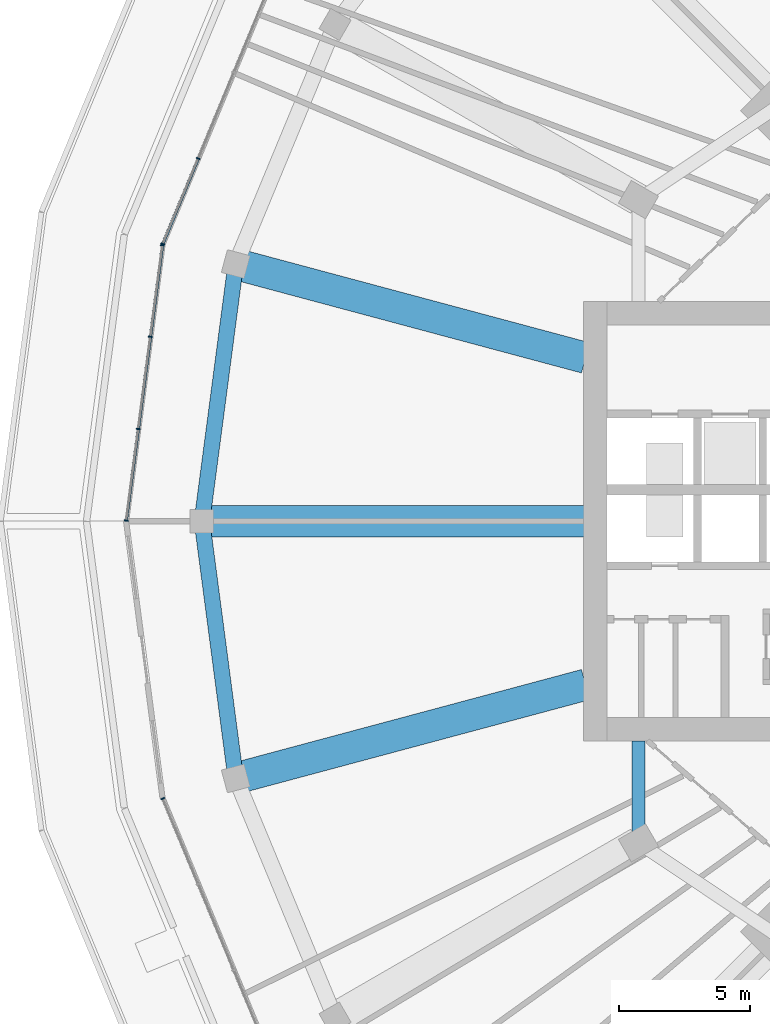
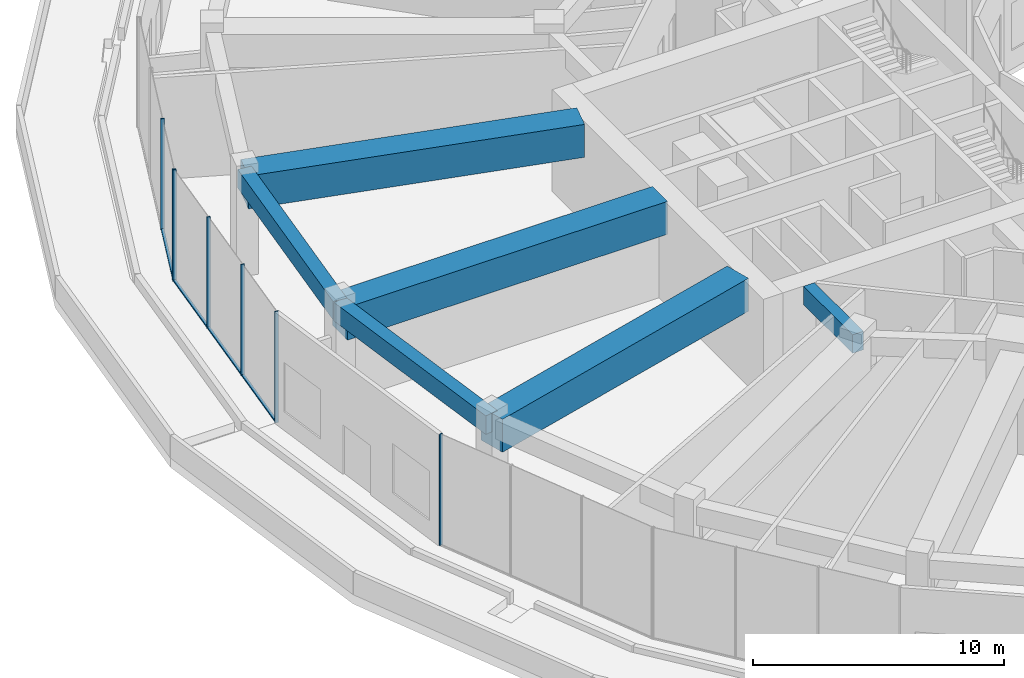
# One storey, part 8 of 30: 11 members, 6 beams, 3 elements without a shape of their own.
"""IFC4 building model written with IfcOpenShell, lengths in metres."""

from ifc_helpers import new_model, si_unit, direction, frame, origin, origin_2d, place, context, subcontext, project, spatial, rectangle, extrude, material, layer, layer_set, material_profile, profile_set, type_object, element, aggregate, save


model = new_model("IFC4")

# Units and contexts
model_context = context("Model", 3, precision=1e-05, world=origin(), true_north=direction((0.0, 1.0)))
body_context = subcontext(model_context, "Body", "Model", "MODEL_VIEW")
ifc_project = project(units=[si_unit("LENGTHUNIT", "METRE"), si_unit("AREAUNIT", "SQUARE_METRE"), si_unit("VOLUMEUNIT", "CUBIC_METRE"), si_unit("PLANEANGLEUNIT", "RADIAN"), si_unit("MASSUNIT", "GRAM", prefix="KILO")], contexts=[model_context])

# Site, building, storey
site_placement = place(None, origin())
site = spatial("IfcSite", under=ifc_project, at=site_placement, CompositionType="ELEMENT")
building_placement = place(site_placement, origin())
building = spatial("IfcBuilding", under=site, at=building_placement, Name="Torre Brocal", CompositionType="ELEMENT")
storey_placement = place(building_placement, frame((0.0, 0.0, 7.0)))
storey = spatial("IfcBuildingStorey", under=building, at=storey_placement, Name="L01", CompositionType="ELEMENT", Elevation=7.0)

# Curtain wall, members
ifc_material_1 = material(Name="Aluminium and glass", Category="aluminium")
ifc_layer = layer(ifc_material_1, 0.199951171875)
ifc_layer_set = layer_set([ifc_layer], Name="Aluminium and glass")
curtain_wall_type = type_object("IfcCurtainWallType", Name="CW-3 CURTAIN WALL 5400 HIGH", PredefinedType="NOTDEFINED", material=ifc_layer_set)
curtain_wall_1_placement = place(storey_placement, origin())
curtain_wall_1 = element("IfcCurtainWall", 1, at=curtain_wall_1_placement, inside=storey, type_object=curtain_wall_type, Name="CW-3 RUN 11", PredefinedType="NOTDEFINED")
ifc_material_2 = material(Name="Aluminium, dark anodised", Category="aluminium")
ifc_material_profile_1 = material_profile(ifc_material_2, rectangle(XDim=0.14990234375, YDim=0.050048828125, at=origin_2d()), Name="CW-3 MULLION 50X150")
ifc_profile_set_1 = profile_set([ifc_material_profile_1], Name="Aluminium, dark anodised")
member_type_1 = type_object("IfcMemberType", Name="CW-3 MULLION 50X150", PredefinedType="MULLION", material=ifc_profile_set_1)
member_1_placement = place(storey_placement, frame((41.8564453125, 88.87353515625, 0.0), z_axis=(0.0, 0.0, 1.0), x_axis=(0.923879532498, -0.382683432397, 0.0)))
member_1 = element("IfcMember", 2, at=member_1_placement, type_object=member_type_1, Name="CW3-2 mullion 3", PredefinedType="MULLION", context=body_context, shape_type="SweptSolid", body=[
    extrude(rectangle(XDim=0.14990234375, YDim=0.050048828125, at=origin_2d()), origin(), (0.0, 0.0, 1.0), 5.39990234375),
])
member_2_placement = place(storey_placement, frame((40.504150390625, 85.608642578125, 0.0), z_axis=(0.0, 0.0, 1.0), x_axis=(0.923879532498, -0.382683432397, 0.0)))
member_2 = element("IfcMember", 3, at=member_2_placement, type_object=member_type_1, Name="CW3-2 mullion 4", PredefinedType="MULLION", context=body_context, shape_type="SweptSolid", body=[
    extrude(rectangle(XDim=0.14990234375, YDim=0.050048828125, at=origin_2d()), origin(), (0.0, 0.0, 1.0), 5.39990234375),
])

curtain_wall_2_placement = place(storey_placement, origin())
curtain_wall_2 = element("IfcCurtainWall", 4, at=curtain_wall_2_placement, inside=storey, type_object=curtain_wall_type, Name="CW-3 RUN 12", PredefinedType="NOTDEFINED")
member_3_placement = place(storey_placement, frame((40.4912109375, 85.560791015625, 0.0), z_axis=(0.0, 0.0, 1.0), x_axis=(0.991444861378, -0.130526192185, 0.0)))
member_3 = element("IfcMember", 5, at=member_3_placement, type_object=member_type_1, Name="CW3-2 mullion 1", PredefinedType="MULLION", context=body_context, shape_type="SweptSolid", body=[
    extrude(rectangle(XDim=0.14990234375, YDim=0.050048828125, at=origin_2d()), origin(), (0.0, 0.0, 1.0), 5.39990234375),
])
member_4_placement = place(storey_placement, frame((40.030029296875, 82.056884765625, 0.0), z_axis=(0.0, 0.0, 1.0), x_axis=(0.991444861378, -0.130526192185, 0.0)))
member_4 = element("IfcMember", 6, at=member_4_placement, type_object=member_type_1, Name="CW3-2 mullion 2", PredefinedType="MULLION", context=body_context, shape_type="SweptSolid", body=[
    extrude(rectangle(XDim=0.14990234375, YDim=0.050048828125, at=origin_2d()), origin(), (0.0, 0.0, 1.0), 5.39990234375),
])
member_5_placement = place(storey_placement, frame((39.5654296875, 78.528564453125, 0.0), z_axis=(0.0, 0.0, 1.0), x_axis=(0.991444861378, -0.130526192185, 0.0)))
member_5 = element("IfcMember", 7, at=member_5_placement, type_object=member_type_1, Name="CW3-2 mullion 3", PredefinedType="MULLION", context=body_context, shape_type="SweptSolid", body=[
    extrude(rectangle(XDim=0.14990234375, YDim=0.050048828125, at=origin_2d()), origin(), (0.0, 0.0, 1.0), 5.39990234375),
])
member_6_placement = place(storey_placement, frame((39.104248046875, 75.02490234375, 0.0), z_axis=(0.0, 0.0, 1.0), x_axis=(0.991444861378, -0.130526192185, 0.0)))
member_6 = element("IfcMember", 8, at=member_6_placement, type_object=member_type_1, Name="CW3-2 mullion 4", PredefinedType="MULLION", context=body_context, shape_type="SweptSolid", body=[
    extrude(rectangle(XDim=0.14990234375, YDim=0.050048828125, at=origin_2d()), origin(), (0.0, 0.0, 1.0), 5.39990234375),
])

# Curtain wall, member
curtain_wall_3_placement = place(storey_placement, origin())
curtain_wall_3 = element("IfcCurtainWall", 9, at=curtain_wall_3_placement, inside=storey, type_object=curtain_wall_type, Name="CW-3 RUN 14", PredefinedType="NOTDEFINED")
member_7_placement = place(storey_placement, frame((40.504150390625, 64.391357421875, 0.0), z_axis=(0.0, 0.0, 1.0), x_axis=(0.923879532498, 0.382683432397, 0.0)))
member_7 = element("IfcMember", 10, at=member_7_placement, type_object=member_type_1, Name="CW3-2 mullion 1", PredefinedType="MULLION", context=body_context, shape_type="SweptSolid", body=[
    extrude(rectangle(XDim=0.14990234375, YDim=0.050048828125, at=origin_2d()), origin(), (0.0, 0.0, 1.0), 5.39990234375),
])
aggregate(curtain_wall_3, [member_7])

# Member
ifc_material_3 = material(Name="Aluminium, dark anodised", Category="aluminium")
ifc_material_profile_2 = material_profile(ifc_material_3, rectangle(XDim=0.1201171875, YDim=0.06005859375, at=origin_2d()), Name="CW-3 TRANSOM 120X60")
ifc_profile_set_2 = profile_set([ifc_material_profile_2], Name="Aluminium, dark anodised")
member_type_2 = type_object("IfcMemberType", Name="CW-3 TRANSOM 120X60", PredefinedType="USERDEFINED", material=ifc_profile_set_2)
member_8_placement = place(storey_placement, frame((41.846923828125, 88.850341796875, 0.030029296875), z_axis=(-0.382683934419, -0.923879324553, 0.0), x_axis=(0.923879324553, -0.382683934419, 0.0)))
member_8 = element("IfcMember", 11, at=member_8_placement, type_object=member_type_2, Name="CW3-2 transom 3.1", ObjectType="TRANSOM", PredefinedType="USERDEFINED", context=body_context, shape_type="SweptSolid", body=[
    extrude(rectangle(XDim=0.1201171875, YDim=0.06005859375, at=origin_2d()), origin(), (0.0, 0.0, 1.0), 3.48388671875),
])

aggregate(curtain_wall_1, [member_1, member_2, member_8])

member_9_placement = place(storey_placement, frame((40.488037109375, 85.535888671875, 0.030029296875), z_axis=(-0.130552399509, -0.991441410766, 0.0), x_axis=(0.991441410766, -0.130552399509, 0.0)))
member_9 = element("IfcMember", 12, at=member_9_placement, type_object=member_type_2, Name="CW3-2 transom 1.1", ObjectType="TRANSOM", PredefinedType="USERDEFINED", context=body_context, shape_type="SweptSolid", body=[
    extrude(rectangle(XDim=0.1201171875, YDim=0.06005859375, at=origin_2d()), origin(), (0.0, 0.0, 1.0), 3.48388671875),
])

member_10_placement = place(storey_placement, frame((40.026611328125, 82.0322265625, 0.030029296875), z_axis=(-0.130522903314, -0.991445294361, 0.0), x_axis=(0.991445294361, -0.130522903314, 0.0)))
member_10 = element("IfcMember", 13, at=member_10_placement, type_object=member_type_2, Name="CW3-2 transom 2.1", ObjectType="TRANSOM", PredefinedType="USERDEFINED", context=body_context, shape_type="SweptSolid", body=[
    extrude(rectangle(XDim=0.1201171875, YDim=0.06005859375, at=origin_2d()), origin(), (0.0, 0.0, 1.0), 3.509033203125),
])

member_11_placement = place(storey_placement, frame((39.562255859375, 78.503662109375, 0.030029296875), z_axis=(-0.130552399509, -0.991441410766, 0.0), x_axis=(0.991441410766, -0.130552399509, 0.0)))
member_11 = element("IfcMember", 14, at=member_11_placement, type_object=member_type_2, Name="CW3-2 transom 3.1", ObjectType="TRANSOM", PredefinedType="USERDEFINED", context=body_context, shape_type="SweptSolid", body=[
    extrude(rectangle(XDim=0.1201171875, YDim=0.06005859375, at=origin_2d()), origin(), (0.0, 0.0, 1.0), 3.48388671875),
])

aggregate(curtain_wall_2, [member_3, member_4, member_5, member_6, member_9, member_10, member_11])

# Beams
ifc_material_4 = material(Name="Concrete C50", Category="concrete")
ifc_material_profile_3 = material_profile(ifc_material_4, rectangle(XDim=0.60009765625, YDim=0.89990234375, at=origin_2d()), Name="RC 600X900")
ifc_profile_set_3 = profile_set([ifc_material_profile_3], Name="Concrete C50")
beam_type_1 = type_object("IfcBeamType", Name="RC BEAM 600X900 C50 TOP 4950", PredefinedType="BEAM", material=ifc_profile_set_3)
for number, where, z_axis, x_axis, name in (
    (15, (43.294921875, 84.835205078125, 4.5), (-0.13053536403, -0.991443653839, 0.0), (0.991443653839, -0.13053536403, 0.0), "Beam BT-10"),
    (16, (42.0, 75.0, 4.5), (0.13053536403, -0.991443653839, 0.0), (0.991443653839, 0.13053536403, 0.0), "Beam BT-10"),
):
    element("IfcBeam", number, at=place(storey_placement, frame(where, z_axis=z_axis, x_axis=x_axis)), inside=storey, type_object=beam_type_1, Name=name, PredefinedType="BEAM", context=body_context, shape_type="SweptSolid", body=[
        extrude(rectangle(XDim=0.60009765625, YDim=0.89990234375, at=origin_2d()), origin(), (0.0, 0.0, 1.0), 9.920166015625),
    ])
ifc_material_5 = material(Name="Concrete C50", Category="concrete")
ifc_material_profile_4 = material_profile(ifc_material_5, rectangle(XDim=0.5, YDim=0.89990234375, at=origin_2d()), Name="RC 500X900")
ifc_profile_set_4 = profile_set([ifc_material_profile_4], Name="Concrete C50")
beam_type_2 = type_object("IfcBeamType", Name="RC SPANDREL BEAM 500X900 C50 TOP 4950", PredefinedType="SPANDREL", material=ifc_profile_set_4)
beam_1_placement = place(storey_placement, frame((58.69580078125, 62.699951171875, 4.5), z_axis=(0.0, 1.0, 0.0), x_axis=(-1.0, 0.0, 0.0)))
element("IfcBeam", 17, at=beam_1_placement, inside=storey, type_object=beam_type_2, Name="Beam BT-12", PredefinedType="SPANDREL", context=body_context, shape_type="SweptSolid", body=[
    extrude(rectangle(XDim=0.5, YDim=0.89990234375, at=origin_2d()), origin(), (0.0, 0.0, 1.0), 3.900146484375),
])
ifc_material_6 = material(Name="Concrete C60", Category="concrete")
ifc_material_profile_5 = material_profile(ifc_material_6, rectangle(XDim=1.199951171875, YDim=1.60009765625, at=origin_2d()), Name="RC 1200X1600")
ifc_profile_set_5 = profile_set([ifc_material_profile_5], Name="Concrete C60")
beam_type_3 = type_object("IfcBeamType", Name="RC TRANSFER GIRDER 1200X1600 C60 TOP 4950", PredefinedType="BEAM", material=ifc_profile_set_5)
for number, where, z_axis, x_axis, name in (
    (18, (56.6728515625, 68.74951171875, 4.14990234375), (-0.965923816483, -0.258826545686, 0.0), (0.258826545686, -0.965923816483, 0.0), "Beam TG-02"),
    (19, (56.6728515625, 81.25048828125, 4.14990234375), (-0.965923816483, 0.258826545686, 0.0), (-0.258826545686, -0.965923816483, 0.0), "Beam TG-02"),
):
    element("IfcBeam", number, at=place(storey_placement, frame(where, z_axis=z_axis, x_axis=x_axis)), inside=storey, type_object=beam_type_3, Name=name, PredefinedType="BEAM", context=body_context, shape_type="SweptSolid", body=[
        extrude(rectangle(XDim=1.199951171875, YDim=1.60009765625, at=origin_2d()), origin(), (0.0, 0.0, 1.0), 13.849853515625),
    ])
beam_2_placement = place(storey_placement, frame((56.699951171875, 75.0, 4.14990234375), z_axis=(-1.0, 0.0, 0.0), x_axis=(0.0, -1.0, 0.0)))
element("IfcBeam", 20, at=beam_2_placement, inside=storey, type_object=beam_type_3, Name="Beam TG-02", PredefinedType="BEAM", context=body_context, shape_type="SweptSolid", body=[
    extrude(rectangle(XDim=1.199951171875, YDim=1.60009765625, at=origin_2d()), origin(), (0.0, 0.0, 1.0), 14.699951171875),
])

save(model, "model.ifc")
